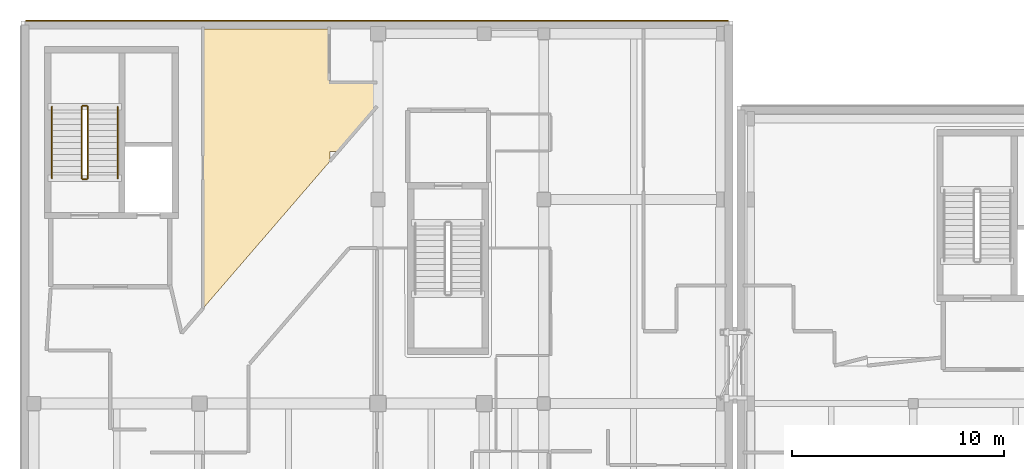
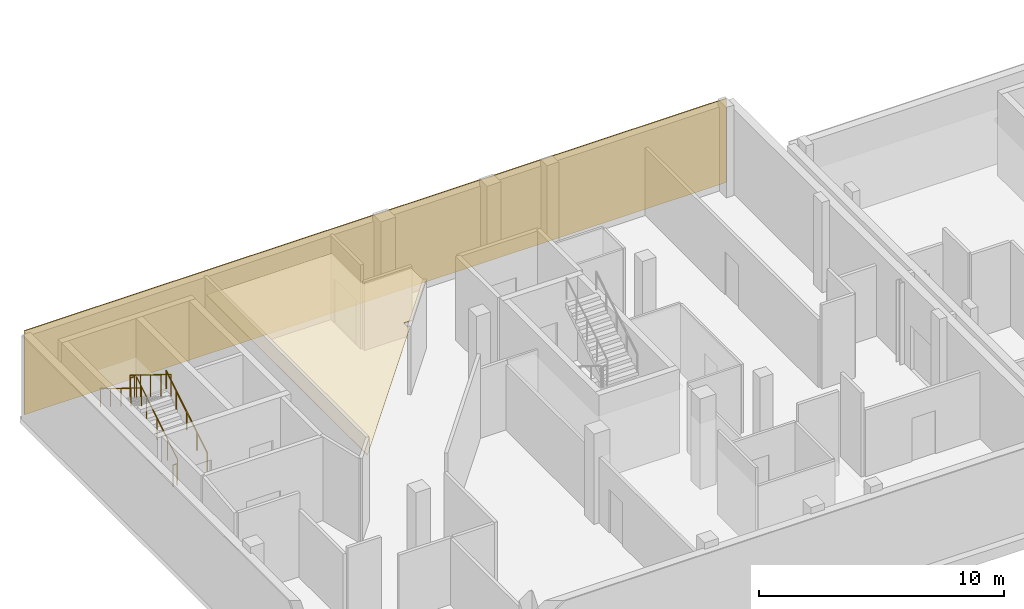
# One storey, part 35 of 41: 6 railings, 2 coverings.
"""IFC4 building model written with IfcOpenShell, lengths in metres."""

from ifc_helpers import new_model, si_unit, direction, frame, origin, origin_2d, place, context, subcontext, project, spatial, polyline, rectangle, circle, outline, extrude, material, layer, layer_set, type_object, element, save


model = new_model("IFC4")

# Units and contexts
model_context = context("Model", 3, precision=1e-05, world=origin(), true_north=direction((0.0, 1.0)))
body_context = subcontext(model_context, "Body", "Model", "MODEL_VIEW")
ifc_project = project(units=[si_unit("LENGTHUNIT", "METRE"), si_unit("AREAUNIT", "SQUARE_METRE"), si_unit("VOLUMEUNIT", "CUBIC_METRE"), si_unit("PLANEANGLEUNIT", "RADIAN"), si_unit("MASSUNIT", "GRAM", prefix="KILO")], contexts=[model_context])

# Site, building, storey
site_placement = place(None, origin())
site = spatial("IfcSite", under=ifc_project, at=site_placement, CompositionType="ELEMENT")
building_placement = place(site_placement, origin())
building = spatial("IfcBuilding", under=site, at=building_placement, Name="Mzevani Central Library", CompositionType="ELEMENT")
storey_placement = place(building_placement, frame((0.0, 0.0, 13.800048828125)))
storey = spatial("IfcBuildingStorey", under=building, at=storey_placement, Name="L03", CompositionType="ELEMENT", Elevation=13.800048828125)

# Railings
ifc_material_1 = material(Name="Brushed stainless steel rail", Category="steel")
railing_type_1 = type_object("IfcRailingType", Name="Interior Gallery and Stair Guard 1100", PredefinedType="BALUSTRADE", material=ifc_material_1)
railing_1_placement = place(storey_placement, frame((15.550048828125, 110.60009765625, 0.173095703125)))
element("IfcRailing", 1, at=railing_1_placement, inside=storey, type_object=railing_type_1, Name="L03 ST-03 stair guard 1", PredefinedType="BALUSTRADE", context=body_context, shape_type="SweptSolid", body=[
    extrude(circle(Radius=0.02392578125, at=origin_2d()), frame((0.0, 0.0, 1.076171875), z_axis=(0.0, 0.850606129759, 0.525803396734), x_axis=(-1.0, 0.0, 0.0)), (0.0, 0.0, 1.0), 3.949951171875),
    extrude(circle(Radius=0.02099609375, at=origin_2d()), origin(), (0.0, 0.0, 1.0), 1.052001953125),
    extrude(circle(Radius=0.02099609375, at=origin_2d()), frame((0.0, 0.83984375, 0.519287109375)), (0.0, 0.0, 1.0), 1.052001953125),
    extrude(circle(Radius=0.02099609375, at=origin_2d()), frame((0.0, 1.679931640625, 1.03857421875)), (0.0, 0.0, 1.0), 1.052001953125),
    extrude(circle(Radius=0.02099609375, at=origin_2d()), frame((0.0, 2.52001953125, 1.5576171875)), (0.0, 0.0, 1.0), 1.052001953125),
    extrude(circle(Radius=0.02099609375, at=origin_2d()), frame((0.0, 3.35986328125, 2.076904296875)), (0.0, 0.0, 1.0), 1.052001953125),
])
railing_2_placement = place(storey_placement, frame((15.5, 114.010009765625, 2.25)))
element("IfcRailing", 2, at=railing_2_placement, inside=storey, type_object=railing_type_1, Name="L03 ST-03 stair guard 2", PredefinedType="BALUSTRADE", context=body_context, shape_type="SweptSolid", body=[
    extrude(circle(Radius=0.02392578125, at=origin_2d()), frame((0.0, 0.0, 1.076171875), z_axis=(-1.0, 0.0, 0.0), x_axis=(0.0, -1.0, 0.0)), (0.0, 0.0, 1.0), 0.199951171875),
    extrude(circle(Radius=0.02099609375, at=origin_2d()), origin(), (0.0, 0.0, 1.0), 1.052001953125),
    extrude(circle(Radius=0.02099609375, at=origin_2d()), frame((-0.199951171875, 0.0, 0.0)), (0.0, 0.0, 1.0), 1.052001953125),
])
railing_3_placement = place(storey_placement, frame((15.25, 113.9599609375, 2.423095703125)))
element("IfcRailing", 3, at=railing_3_placement, inside=storey, type_object=railing_type_1, Name="L03 ST-03 stair guard 3", PredefinedType="BALUSTRADE", context=body_context, shape_type="SweptSolid", body=[
    extrude(circle(Radius=0.02392578125, at=origin_2d()), frame((0.0, 0.0, 1.076171875), z_axis=(0.0, -0.850606129759, 0.525803396734), x_axis=(1.0, 0.0, 0.0)), (0.0, 0.0, 1.0), 3.949951171875),
    extrude(circle(Radius=0.02099609375, at=origin_2d()), origin(), (0.0, 0.0, 1.0), 1.052001953125),
    extrude(circle(Radius=0.02099609375, at=origin_2d()), frame((0.0, -0.83984375, 0.519287109375)), (0.0, 0.0, 1.0), 1.052001953125),
    extrude(circle(Radius=0.02099609375, at=origin_2d()), frame((0.0, -1.679931640625, 1.03857421875)), (0.0, 0.0, 1.0), 1.052001953125),
    extrude(circle(Radius=0.02099609375, at=origin_2d()), frame((0.0, -2.52001953125, 1.5576171875)), (0.0, 0.0, 1.0), 1.052001953125),
    extrude(circle(Radius=0.02099609375, at=origin_2d()), frame((0.0, -3.35986328125, 2.076904296875)), (0.0, 0.0, 1.0), 1.052001953125),
])
railing_4_placement = place(storey_placement, frame((15.5, 110.550048828125, 0.0)))
element("IfcRailing", 4, at=railing_4_placement, inside=storey, type_object=railing_type_1, Name="L03 ST-03 stair guard 4", PredefinedType="BALUSTRADE", context=body_context, shape_type="SweptSolid", body=[
    extrude(circle(Radius=0.02392578125, at=origin_2d()), frame((0.0, 0.0, 1.076171875), z_axis=(-1.0, 0.0, 0.0), x_axis=(0.0, -1.0, 0.0)), (0.0, 0.0, 1.0), 0.199951171875),
    extrude(circle(Radius=0.02099609375, at=origin_2d()), origin(), (0.0, 0.0, 1.0), 1.052001953125),
    extrude(circle(Radius=0.02099609375, at=origin_2d()), frame((-0.199951171875, 0.0, 0.0)), (0.0, 0.0, 1.0), 1.052001953125),
])

# Coverings
ifc_material_2 = material(Name="Limestone ashlar cladding", Category="masonry")
ifc_layer_1 = layer(ifc_material_2, 0.050048828125, Name="Limestone Ashlar Spandrel Cladding")
ifc_layer_set_1 = layer_set([ifc_layer_1], Name="Limestone ashlar cladding")
covering_type_1 = type_object("IfcCoveringType", Name="Limestone Ashlar Spandrel Cladding", PredefinedType="CLADDING", material=ifc_layer_set_1)
covering_1_placement = place(storey_placement, frame((29.14990234375, 118.02392578125, 0.0), z_axis=(0.0, 0.0, 1.0), x_axis=(1.0, 0.0, 0.0)))
element("IfcCovering", 5, at=covering_1_placement, inside=storey, type_object=covering_type_1, Name="L03 Warm-White Facade Cladding (EW4-V2-L03-0030)", PredefinedType="CLADDING", context=body_context, shape_type="SweptSolid", body=[
    extrude(rectangle(XDim=33.080078125, YDim=0.050048828125, at=origin_2d()), origin(), (0.0, 0.0, 1.0), 4.179931640625),
])
ifc_material_3 = material(Name="Mineral wool acoustic ceiling")
ifc_layer_2 = layer(ifc_material_3, 0.0400390625, Name="Perforated Timber Acoustic Ceiling")
ifc_layer_set_2 = layer_set([ifc_layer_2], Name="Mineral wool acoustic ceiling")
covering_type_2 = type_object("IfcCoveringType", Name="Perforated Timber Acoustic Ceiling", PredefinedType="CEILING", material=ifc_layer_set_2)
covering_2_placement = place(storey_placement, frame((0.0, 0.0, 3.25)))
element("IfcCovering", 6, at=covering_2_placement, inside=storey, type_object=covering_type_2, Name="L03 Oriental and Caucasian Manuscripts Study Acoustic Ceiling", PredefinedType="CEILING", context=body_context, shape_type="SweptSolid", body=[
    extrude(outline(polyline([(29.15478515625, 115.10888671875), (29.158203125, 113.977783203125), (27.342041015625, 111.867919921875), (26.93505859375, 111.864990234375), (26.9326171875, 111.39208984375), (20.95849609375, 104.466796875), (20.957275390625, 117.626220703125), (26.90283203125, 117.629638671875), (26.909912109375, 115.110107421875), (29.15478515625, 115.10888671875)])), origin(), (0.0, 0.0, 1.0), 0.0400390625),
])

# Railings
railing_type_2 = type_object("IfcRailingType", Name="Stair Wall Handrail 920", PredefinedType="HANDRAIL", material=ifc_material_1)
railing_5_placement = place(storey_placement, frame((16.949951171875, 110.60009765625, 0.173095703125)))
element("IfcRailing", 7, at=railing_5_placement, inside=storey, type_object=railing_type_2, Name="L03 ST-03 stair handrail 1", PredefinedType="HANDRAIL", context=body_context, shape_type="SweptSolid", body=[
    extrude(circle(Radius=0.02392578125, at=origin_2d()), frame((0.0, 0.0, 0.89599609375), z_axis=(0.0, 0.850606129759, 0.525803396734), x_axis=(-1.0, 0.0, 0.0)), (0.0, 0.0, 1.0), 3.949951171875),
    extrude(circle(Radius=0.02099609375, at=origin_2d()), origin(), (0.0, 0.0, 1.0), 0.871826171875),
    extrude(circle(Radius=0.02099609375, at=origin_2d()), frame((0.0, 0.83984375, 0.519287109375)), (0.0, 0.0, 1.0), 0.871826171875),
    extrude(circle(Radius=0.02099609375, at=origin_2d()), frame((0.0, 1.679931640625, 1.03857421875)), (0.0, 0.0, 1.0), 0.871826171875),
    extrude(circle(Radius=0.02099609375, at=origin_2d()), frame((0.0, 2.52001953125, 1.5576171875)), (0.0, 0.0, 1.0), 0.871826171875),
    extrude(circle(Radius=0.02099609375, at=origin_2d()), frame((0.0, 3.35986328125, 2.076904296875)), (0.0, 0.0, 1.0), 0.871826171875),
])
railing_6_placement = place(storey_placement, frame((13.85009765625, 113.9599609375, 2.423095703125)))
element("IfcRailing", 8, at=railing_6_placement, inside=storey, type_object=railing_type_2, Name="L03 ST-03 stair handrail 2", PredefinedType="HANDRAIL", context=body_context, shape_type="SweptSolid", body=[
    extrude(circle(Radius=0.02392578125, at=origin_2d()), frame((0.0, 0.0, 0.89599609375), z_axis=(0.0, -0.850606129759, 0.525803396734), x_axis=(1.0, 0.0, 0.0)), (0.0, 0.0, 1.0), 3.949951171875),
    extrude(circle(Radius=0.02099609375, at=origin_2d()), origin(), (0.0, 0.0, 1.0), 0.871826171875),
    extrude(circle(Radius=0.02099609375, at=origin_2d()), frame((0.0, -0.83984375, 0.519287109375)), (0.0, 0.0, 1.0), 0.871826171875),
    extrude(circle(Radius=0.02099609375, at=origin_2d()), frame((0.0, -1.679931640625, 1.03857421875)), (0.0, 0.0, 1.0), 0.871826171875),
    extrude(circle(Radius=0.02099609375, at=origin_2d()), frame((0.0, -2.52001953125, 1.5576171875)), (0.0, 0.0, 1.0), 0.871826171875),
    extrude(circle(Radius=0.02099609375, at=origin_2d()), frame((0.0, -3.35986328125, 2.076904296875)), (0.0, 0.0, 1.0), 0.871826171875),
])

save(model, "model.ifc")
